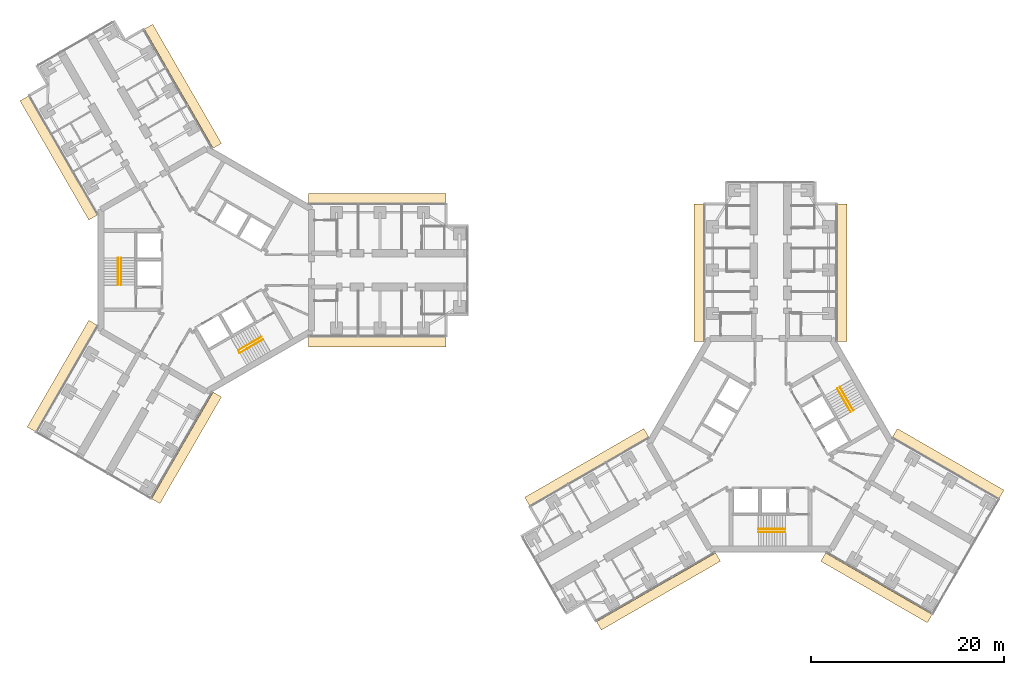
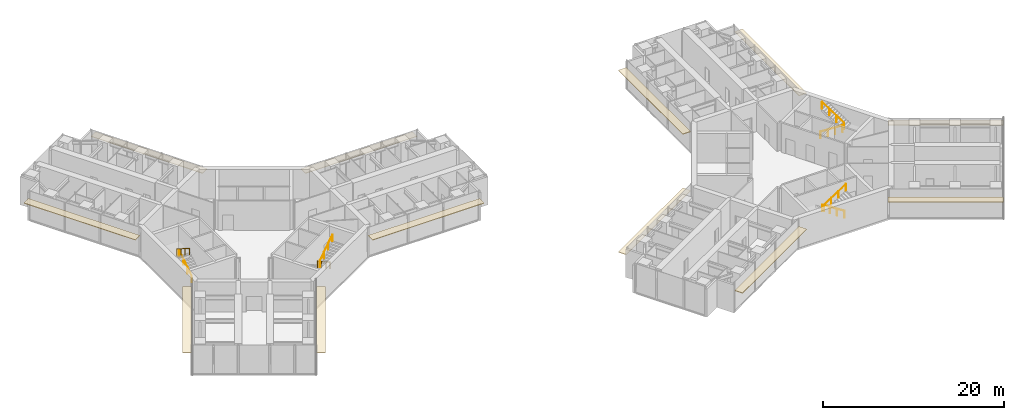
# One storey, part 23 of 23: 12 coverings, 8 railings.
"""IFC4 building model written with IfcOpenShell, lengths in metres."""

from ifc_helpers import new_model, si_unit, direction, frame, origin, origin_2d, place, context, subcontext, project, spatial, rectangle, circle, extrude, material, layer, layer_set, type_object, element, save


model = new_model("IFC4")

# Units and contexts
model_context = context("Model", 3, precision=1e-05, world=origin(), true_north=direction((0.0, 1.0)))
body_context = subcontext(model_context, "Body", "Model", "MODEL_VIEW")
ifc_project = project(units=[si_unit("LENGTHUNIT", "METRE"), si_unit("AREAUNIT", "SQUARE_METRE"), si_unit("VOLUMEUNIT", "CUBIC_METRE"), si_unit("PLANEANGLEUNIT", "RADIAN"), si_unit("MASSUNIT", "GRAM", prefix="KILO")], contexts=[model_context])

# Site, building, storey
site_placement = place(None, origin())
site = spatial("IfcSite", under=ifc_project, at=site_placement, CompositionType="ELEMENT")
building_placement = place(site_placement, origin())
building = spatial("IfcBuilding", under=site, at=building_placement, Name="Upepo Twin Towers", CompositionType="ELEMENT")
storey_placement = place(building_placement, frame((0.0, 0.0, 153.5)))
storey = spatial("IfcBuildingStorey", under=building, at=storey_placement, Name="L37", CompositionType="ELEMENT", Elevation=153.5)

# Coverings
ifc_material_1 = material(Name="Anodised aluminium, pale silver", Category="aluminium")
ifc_layer = layer(ifc_material_1, 0.080078125)
ifc_layer_set = layer_set([ifc_layer], Name="Brise-soleil blade 1000 pale aluminium")
covering_type = type_object("IfcCoveringType", Name="Brise-soleil blade 1000 pale aluminium", PredefinedType="USERDEFINED", material=ifc_layer_set)
for number, where, z_axis, x_axis, name in (
    (1, (17.718505859375, 7.43994140625, 2.909912109375), (0.0, 0.0, 1.0), (1.0, 0.0, 0.0), "T1 L37 wing A brise-soleil L"),
    (2, (17.718505859375, -7.43994140625, 2.909912109375), (0.0, 0.0, 1.0), (1.0, 0.0, 0.0), "T1 L37 wing A brise-soleil R"),
    (3, (-15.302490234375, 11.624755859375, 2.909912109375), (0.0, 0.0, 1.0), (-0.500000015115, 0.866025395058, 0.0), "T1 L37 wing B brise-soleil L"),
    (4, (-2.416015625, 19.064697265625, 2.909912109375), (0.0, 0.0, 1.0), (-0.500000015115, 0.866025395058, 0.0), "T1 L37 wing B brise-soleil R"),
):
    element("IfcCovering", number, at=place(storey_placement, frame(where, z_axis=z_axis, x_axis=x_axis)), inside=storey, type_object=covering_type, Name=name, ObjectType="SUNSHADE", PredefinedType="USERDEFINED", context=body_context, shape_type="SweptSolid", body=[
        extrude(rectangle(XDim=14.262939453125, YDim=1.0, at=origin_2d()), origin(), (0.0, 0.0, 1.0), 0.080078125),
    ])
for number, where, z_axis, x_axis, name in (
    (5, (-2.041015625, -18.415283203125, 2.909912109375), (0.0, 0.0, 1.0), (-0.500000015115, -0.866025395058, 0.0), "T1 L37 wing C brise-soleil L"),
    (6, (-14.927490234375, -10.97509765625, 2.909912109375), (0.0, 0.0, 1.0), (-0.500000015115, -0.866025395058, 0.0), "T1 L37 wing C brise-soleil R"),
):
    element("IfcCovering", number, at=place(storey_placement, frame(where, z_axis=z_axis, x_axis=x_axis)), inside=storey, type_object=covering_type, Name=name, ObjectType="SUNSHADE", PredefinedType="USERDEFINED", context=body_context, shape_type="SweptSolid", body=[
        extrude(rectangle(XDim=12.762939453125, YDim=1.0, at=origin_2d()), origin(), (0.0, 0.0, 1.0), 0.080078125),
    ])
for number, where, z_axis, x_axis, name in (
    (7, (51.06005859375, -0.281494140625, 2.909912109375), (0.0, 0.0, 1.0), (0.0, 1.0, 0.0), "T2 L37 wing A brise-soleil L"),
    (8, (65.93994140625, -0.281494140625, 2.909912109375), (0.0, 0.0, 1.0), (0.0, 1.0, 0.0), "T2 L37 wing A brise-soleil R"),
    (9, (46.875244140625, -33.302490234375, 2.909912109375), (0.0, 0.0, 1.0), (-0.866025395058, -0.500000015115, 0.0), "T2 L37 wing B brise-soleil L"),
    (10, (39.435302734375, -20.416015625, 2.909912109375), (0.0, 0.0, 1.0), (-0.866025395058, -0.500000015115, 0.0), "T2 L37 wing B brise-soleil R"),
):
    element("IfcCovering", number, at=place(storey_placement, frame(where, z_axis=z_axis, x_axis=x_axis)), inside=storey, type_object=covering_type, Name=name, ObjectType="SUNSHADE", PredefinedType="USERDEFINED", context=body_context, shape_type="SweptSolid", body=[
        extrude(rectangle(XDim=14.262939453125, YDim=1.0, at=origin_2d()), origin(), (0.0, 0.0, 1.0), 0.080078125),
    ])
for number, where, z_axis, x_axis, name in (
    (11, (76.915283203125, -20.041015625, 2.909912109375), (0.0, 0.0, 1.0), (0.866025395058, -0.500000015115, 0.0), "T2 L37 wing C brise-soleil L"),
    (12, (69.47509765625, -32.927490234375, 2.909912109375), (0.0, 0.0, 1.0), (0.866025395058, -0.500000015115, 0.0), "T2 L37 wing C brise-soleil R"),
):
    element("IfcCovering", number, at=place(storey_placement, frame(where, z_axis=z_axis, x_axis=x_axis)), inside=storey, type_object=covering_type, Name=name, ObjectType="SUNSHADE", PredefinedType="USERDEFINED", context=body_context, shape_type="SweptSolid", body=[
        extrude(rectangle(XDim=12.762939453125, YDim=1.0, at=origin_2d()), origin(), (0.0, 0.0, 1.0), 0.080078125),
    ])

# Railings
ifc_material_2 = material(Name="Stainless steel", Category="steel")
railing_type = type_object("IfcRailingType", Name="Stair handrail 900", PredefinedType="HANDRAIL", material=ifc_material_2)
railing_1_placement = place(storey_placement, frame((-8.85009765625, -1.52001953125, 0.181884765625)))
element("IfcRailing", 13, at=railing_1_placement, inside=storey, type_object=railing_type, Name="T1 stair S1 L37 handrail 1", PredefinedType="HANDRAIL", context=body_context, shape_type="SweptSolid", body=[
    extrude(circle(Radius=0.02392578125, at=origin_2d()), frame((0.0, 0.0, 0.8759765625), z_axis=(0.0, 0.838705829183, 0.544584733623), x_axis=(-1.0, 0.0, 0.0)), (0.0, 0.0, 1.0), 3.338623046875),
    extrude(circle(Radius=0.02099609375, at=origin_2d()), origin(), (0.0, 0.0, 1.0), 0.851806640625),
    extrude(circle(Radius=0.02099609375, at=origin_2d()), frame((0.0, 0.933349609375, 0.60595703125)), (0.0, 0.0, 1.0), 0.851806640625),
    extrude(circle(Radius=0.02099609375, at=origin_2d()), frame((0.0, 1.86669921875, 1.212158203125)), (0.0, 0.0, 1.0), 0.851806640625),
    extrude(circle(Radius=0.02099609375, at=origin_2d()), frame((0.0, 2.800048828125, 1.818115234375)), (0.0, 0.0, 1.0), 0.851806640625),
])
railing_2_placement = place(storey_placement, frame((-9.158447265625, 1.280029296875, 2.181884765625)))
element("IfcRailing", 14, at=railing_2_placement, inside=storey, type_object=railing_type, Name="T1 stair S1 L37 handrail 2", PredefinedType="HANDRAIL", context=body_context, shape_type="SweptSolid", body=[
    extrude(circle(Radius=0.02392578125, at=origin_2d()), frame((0.0, 0.0, 0.8759765625), z_axis=(0.0, -0.838705829183, 0.544584733623), x_axis=(1.0, 0.0, 0.0)), (0.0, 0.0, 1.0), 3.338623046875),
    extrude(circle(Radius=0.02099609375, at=origin_2d()), origin(), (0.0, 0.0, 1.0), 0.851806640625),
    extrude(circle(Radius=0.02099609375, at=origin_2d()), frame((0.0, -0.933349609375, 0.60595703125)), (0.0, 0.0, 1.0), 0.851806640625),
    extrude(circle(Radius=0.02099609375, at=origin_2d()), frame((0.0, -1.86669921875, 1.212158203125)), (0.0, 0.0, 1.0), 0.851806640625),
    extrude(circle(Radius=0.02099609375, at=origin_2d()), frame((0.0, -2.800048828125, 1.818115234375)), (0.0, 0.0, 1.0), 0.851806640625),
])
railing_3_placement = place(storey_placement, frame((5.741455078125, -6.904296875, 0.181884765625)))
element("IfcRailing", 15, at=railing_3_placement, inside=storey, type_object=railing_type, Name="T1 stair S2 L37 handrail 1", PredefinedType="HANDRAIL", context=body_context, shape_type="SweptSolid", body=[
    extrude(circle(Radius=0.02392578125, at=origin_2d()), frame((0.0, 0.0, 0.8759765625), z_axis=(-0.726348578268, -0.419370693282, 0.544560340518), x_axis=(0.500011755427, -0.866018616679, 0.0)), (0.0, 0.0, 1.0), 3.338623046875),
    extrude(circle(Radius=0.02099609375, at=origin_2d()), origin(), (0.0, 0.0, 1.0), 0.851806640625),
    extrude(circle(Radius=0.02099609375, at=origin_2d()), frame((-0.808349609375, -0.466796875, 0.60595703125)), (0.0, 0.0, 1.0), 0.851806640625),
    extrude(circle(Radius=0.02099609375, at=origin_2d()), frame((-1.61669921875, -0.933349609375, 1.212158203125)), (0.0, 0.0, 1.0), 0.851806640625),
    extrude(circle(Radius=0.02099609375, at=origin_2d()), frame((-2.425048828125, -1.400146484375, 1.818115234375)), (0.0, 0.0, 1.0), 0.851806640625),
])
railing_4_placement = place(storey_placement, frame((3.470703125, -8.5712890625, 2.181884765625)))
element("IfcRailing", 16, at=railing_4_placement, inside=storey, type_object=railing_type, Name="T1 stair S2 L37 handrail 2", PredefinedType="HANDRAIL", context=body_context, shape_type="SweptSolid", body=[
    extrude(circle(Radius=0.02392578125, at=origin_2d()), frame((0.0, 0.0, 0.8759765625), z_axis=(0.726336304947, 0.419332699614, 0.544605966869), x_axis=(-0.49998411664, 0.866034573852, 0.0)), (0.0, 0.0, 1.0), 3.33837890625),
    extrude(circle(Radius=0.02099609375, at=origin_2d()), origin(), (0.0, 0.0, 1.0), 0.851806640625),
    extrude(circle(Radius=0.02099609375, at=origin_2d()), frame((0.808349609375, 0.466552734375, 0.60595703125)), (0.0, 0.0, 1.0), 0.851806640625),
    extrude(circle(Radius=0.02099609375, at=origin_2d()), frame((1.616455078125, 0.933349609375, 1.212158203125)), (0.0, 0.0, 1.0), 0.851806640625),
    extrude(circle(Radius=0.02099609375, at=origin_2d()), frame((2.4248046875, 1.39990234375, 1.818115234375)), (0.0, 0.0, 1.0), 0.851806640625),
])
railing_5_placement = place(storey_placement, frame((60.02001953125, -26.85009765625, 0.181884765625)))
element("IfcRailing", 17, at=railing_5_placement, inside=storey, type_object=railing_type, Name="T2 stair S1 L37 handrail 1", PredefinedType="HANDRAIL", context=body_context, shape_type="SweptSolid", body=[
    extrude(circle(Radius=0.02392578125, at=origin_2d()), frame((0.0, 0.0, 0.8759765625), z_axis=(-0.838705829183, 0.0, 0.544584733623), x_axis=(0.0, -1.0, 0.0)), (0.0, 0.0, 1.0), 3.338623046875),
    extrude(circle(Radius=0.02099609375, at=origin_2d()), origin(), (0.0, 0.0, 1.0), 0.851806640625),
    extrude(circle(Radius=0.02099609375, at=origin_2d()), frame((-0.933349609375, 0.0, 0.60595703125)), (0.0, 0.0, 1.0), 0.851806640625),
    extrude(circle(Radius=0.02099609375, at=origin_2d()), frame((-1.86669921875, 0.0, 1.212158203125)), (0.0, 0.0, 1.0), 0.851806640625),
    extrude(circle(Radius=0.02099609375, at=origin_2d()), frame((-2.800048828125, 0.0, 1.818115234375)), (0.0, 0.0, 1.0), 0.851806640625),
])
railing_6_placement = place(storey_placement, frame((57.219970703125, -27.158447265625, 2.181884765625)))
element("IfcRailing", 18, at=railing_6_placement, inside=storey, type_object=railing_type, Name="T2 stair S1 L37 handrail 2", PredefinedType="HANDRAIL", context=body_context, shape_type="SweptSolid", body=[
    extrude(circle(Radius=0.02392578125, at=origin_2d()), frame((0.0, 0.0, 0.8759765625), z_axis=(0.838705829183, 0.0, 0.544584733623), x_axis=(0.0, 1.0, 0.0)), (0.0, 0.0, 1.0), 3.338623046875),
    extrude(circle(Radius=0.02099609375, at=origin_2d()), origin(), (0.0, 0.0, 1.0), 0.851806640625),
    extrude(circle(Radius=0.02099609375, at=origin_2d()), frame((0.933349609375, 0.0, 0.60595703125)), (0.0, 0.0, 1.0), 0.851806640625),
    extrude(circle(Radius=0.02099609375, at=origin_2d()), frame((1.86669921875, 0.0, 1.212158203125)), (0.0, 0.0, 1.0), 0.851806640625),
    extrude(circle(Radius=0.02099609375, at=origin_2d()), frame((2.800048828125, 0.0, 1.818115234375)), (0.0, 0.0, 1.0), 0.851806640625),
])
railing_7_placement = place(storey_placement, frame((65.404296875, -12.258544921875, 0.181884765625)))
element("IfcRailing", 19, at=railing_7_placement, inside=storey, type_object=railing_type, Name="T2 stair S2 L37 handrail 1", PredefinedType="HANDRAIL", context=body_context, shape_type="SweptSolid", body=[
    extrude(circle(Radius=0.02392578125, at=origin_2d()), frame((0.0, 0.0, 0.8759765625), z_axis=(0.419370693282, -0.726348578268, 0.544560340518), x_axis=(0.866018616679, 0.500011755427, 0.0)), (0.0, 0.0, 1.0), 3.338623046875),
    extrude(circle(Radius=0.02099609375, at=origin_2d()), origin(), (0.0, 0.0, 1.0), 0.851806640625),
    extrude(circle(Radius=0.02099609375, at=origin_2d()), frame((0.466796875, -0.808349609375, 0.60595703125)), (0.0, 0.0, 1.0), 0.851806640625),
    extrude(circle(Radius=0.02099609375, at=origin_2d()), frame((0.933349609375, -1.61669921875, 1.212158203125)), (0.0, 0.0, 1.0), 0.851806640625),
    extrude(circle(Radius=0.02099609375, at=origin_2d()), frame((1.400146484375, -2.425048828125, 1.818115234375)), (0.0, 0.0, 1.0), 0.851806640625),
])
railing_8_placement = place(storey_placement, frame((67.0712890625, -14.529296875, 2.181884765625)))
element("IfcRailing", 20, at=railing_8_placement, inside=storey, type_object=railing_type, Name="T2 stair S2 L37 handrail 2", PredefinedType="HANDRAIL", context=body_context, shape_type="SweptSolid", body=[
    extrude(circle(Radius=0.02392578125, at=origin_2d()), frame((0.0, 0.0, 0.8759765625), z_axis=(-0.419332699614, 0.726336304947, 0.544605966869), x_axis=(-0.866034573852, -0.49998411664, 0.0)), (0.0, 0.0, 1.0), 3.33837890625),
    extrude(circle(Radius=0.02099609375, at=origin_2d()), origin(), (0.0, 0.0, 1.0), 0.851806640625),
    extrude(circle(Radius=0.02099609375, at=origin_2d()), frame((-0.466552734375, 0.808349609375, 0.60595703125)), (0.0, 0.0, 1.0), 0.851806640625),
    extrude(circle(Radius=0.02099609375, at=origin_2d()), frame((-0.933349609375, 1.616455078125, 1.212158203125)), (0.0, 0.0, 1.0), 0.851806640625),
    extrude(circle(Radius=0.02099609375, at=origin_2d()), frame((-1.39990234375, 2.4248046875, 1.818115234375)), (0.0, 0.0, 1.0), 0.851806640625),
])

save(model, "model.ifc")
